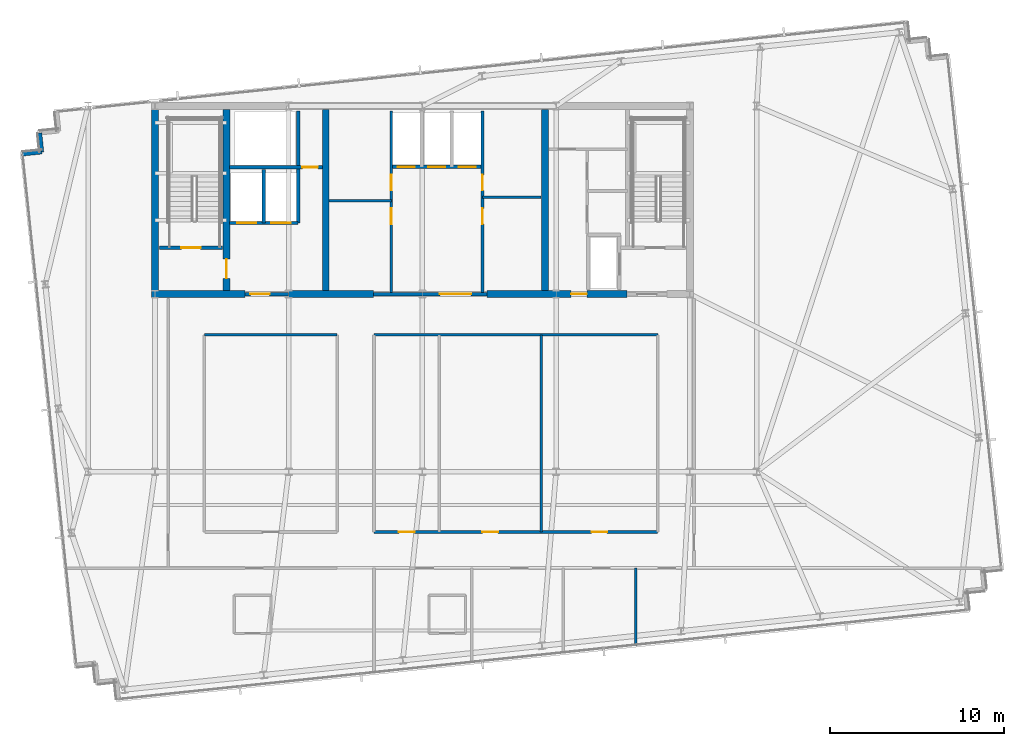
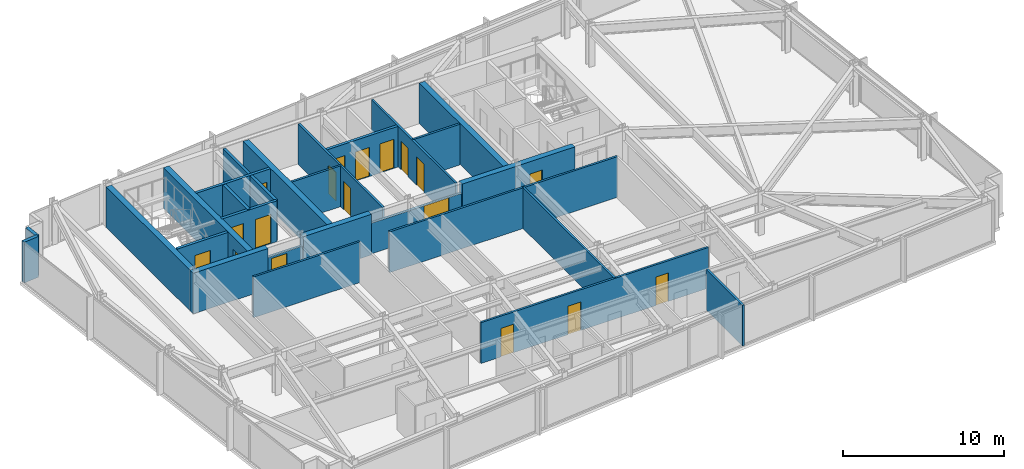
# One storey, part 27 of 32: 26 walls, 18 doors, 18 openings.
"""IFC4 building model written with IfcOpenShell, lengths in metres."""

from ifc_helpers import new_model, si_unit, direction, frame, frame_2d, origin, place, context, subcontext, project, spatial, rectangle, extrude, material, layer, layer_set, type_object, element, fill, save


model = new_model("IFC4")

# Units and contexts
model_context = context("Model", 3, precision=1e-05, world=origin(), true_north=direction((0.0, 1.0)))
body_context = subcontext(model_context, "Body", "Model", "MODEL_VIEW")
ifc_project = project(units=[si_unit("LENGTHUNIT", "METRE"), si_unit("AREAUNIT", "SQUARE_METRE"), si_unit("VOLUMEUNIT", "CUBIC_METRE"), si_unit("PLANEANGLEUNIT", "RADIAN"), si_unit("MASSUNIT", "GRAM", prefix="KILO")], contexts=[model_context])

# Site, building, storey
site_placement = place(None, origin())
site = spatial("IfcSite", under=ifc_project, at=site_placement, CompositionType="ELEMENT")
building_placement = place(site_placement, origin())
building = spatial("IfcBuilding", under=site, at=building_placement, Name="Yelkora Congress Tower", CompositionType="ELEMENT")
storey_placement = place(building_placement, frame((0.0, 0.0, 214.39990234375)))
storey = spatial("IfcBuildingStorey", under=building, at=storey_placement, Name="L59", CompositionType="ELEMENT", Elevation=214.39990234375)

# Walls
ifc_material_1 = material(Name="Concrete C50/60", Category="concrete")
ifc_layer_1 = layer(ifc_material_1, 0.39990234375)
ifc_layer_set_1 = layer_set([ifc_layer_1], Name="Concrete C50/60")
wall_type_1 = type_object("IfcWallType", Name="WALL-CORE-INT-400", PredefinedType="SHEAR", material=ifc_layer_set_1)
wall_1_placement = place(storey_placement, frame((22.840087890625, 35.39990234375, 0.0), z_axis=(0.0, 0.0, 1.0), x_axis=(1.0, 0.0, 0.0)))
element("IfcWall", 1, at=wall_1_placement, inside=storey, type_object=wall_type_1, Name="L59 Rear Core South-West Shear Wall", PredefinedType="SHEAR", context=body_context, shape_type="SweptSolid", body=[
    extrude(rectangle(XDim=5.35986328125, YDim=0.39990234375, at=frame_2d((2.679931640625, 0.0))), origin(), (0.0, 0.0, 1.0), 3.080078125),
])
wall_2_placement = place(storey_placement, frame((30.719970703125, 35.39990234375, 0.0), z_axis=(0.0, 0.0, 1.0), x_axis=(1.0, 0.0, 0.0)))
element("IfcWall", 2, at=wall_2_placement, inside=storey, type_object=wall_type_1, Name="L59 Rear Core South-Center Shear Pier", PredefinedType="SHEAR", context=body_context, shape_type="SweptSolid", body=[
    extrude(rectangle(XDim=4.880126953125, YDim=0.39990234375, at=frame_2d((2.43994140625, 0.0))), origin(), (0.0, 0.0, 1.0), 3.080078125),
])

# Wall, opening, door
wall_3_placement = place(storey_placement, frame((42.10009765625, 35.39990234375, 0.0), z_axis=(0.0, 0.0, 1.0), x_axis=(1.0, 0.0, 0.0)))
wall_3 = element("IfcWall", 3, at=wall_3_placement, inside=storey, type_object=wall_type_1, Name="L59 Rear Core South-East Shear Wall A", PredefinedType="SHEAR", context=body_context, shape_type="SweptSolid", body=[
    extrude(rectangle(XDim=8.0498046875, YDim=0.39990234375, at=frame_2d((4.02490234375, 0.0))), origin(), (0.0, 0.0, 1.0), 3.080078125),
])
opening_1_placement = place(wall_3_placement, frame((4.85009765625, 0.0, 0.0)))
opening_1 = element("IfcOpeningElement", 4, at=opening_1_placement, cuts=wall_3, Name="Opening DR-090F6", PredefinedType="OPENING", context=body_context, shape_type="SweptSolid", body=[
    extrude(rectangle(XDim=0.89990234375, YDim=2.14990234375, at=frame_2d((0.449951171875, 1.074951171875))), frame((0.0, 0.2099609375, 0.0), z_axis=(0.0, -1.0, 0.0), x_axis=(1.0, 0.0, 0.0)), (0.0, 0.0, 1.0), 0.419921875),
])
ifc_material_2 = material(Name="Painted steel riser fire door leaf", Category="steel")
door_type_1 = type_object("IfcDoorType", Name="DOOR-FD60-900", OperationType="NOTDEFINED", PredefinedType="DOOR", material=ifc_material_2)
door_1_placement = place(opening_1_placement, origin())
door_1 = element("IfcDoor", 5, at=door_1_placement, inside=storey, type_object=door_type_1, Name="L59 Core Washroom Lobby Door", OperationType="SINGLE_SWING_RIGHT", OverallHeight=2.14990234375, OverallWidth=0.89990234375, PredefinedType="DOOR", context=body_context, shape_type="SweptSolid", body=[
    extrude(rectangle(XDim=0.89990234375, YDim=2.14990234375, at=frame_2d((0.449951171875, 1.074951171875))), frame((0.0, 0.02490234375, 0.0), z_axis=(0.0, -1.0, 0.0), x_axis=(1.0, 0.0, 0.0)), (0.0, 0.0, 1.0), 0.050048828125),
])
fill(opening_1, door_1)

# Wall
wall_4_placement = place(storey_placement, frame((23.0400390625, 35.60009765625, 0.0), z_axis=(0.0, 0.0, 1.0), x_axis=(0.0, 1.0, 0.0)))
element("IfcWall", 6, at=wall_4_placement, inside=storey, type_object=wall_type_1, Name="L59 Rear Core Cross Shear Wall W", PredefinedType="SHEAR", context=body_context, shape_type="SweptSolid", body=[
    extrude(rectangle(XDim=10.39990234375, YDim=0.39990234375, at=frame_2d((5.199951171875, 0.0))), origin(), (0.0, 0.0, 1.0), 3.080078125),
])

# Wall, opening, door
wall_5_placement = place(storey_placement, frame((27.14990234375, 35.60009765625, 0.0), z_axis=(0.0, 0.0, 1.0), x_axis=(0.0, 1.0, 0.0)))
wall_5 = element("IfcWall", 7, at=wall_5_placement, inside=storey, type_object=wall_type_1, Name="L59 Rear Core Cross Shear Wall C1", PredefinedType="SHEAR", context=body_context, shape_type="SweptSolid", body=[
    extrude(rectangle(XDim=10.39990234375, YDim=0.39990234375, at=frame_2d((5.199951171875, 0.0))), origin(), (0.0, 0.0, 1.0), 3.080078125),
])
opening_2_placement = place(wall_5_placement, frame((0.699951171875, 0.0, 0.0)))
opening_2 = element("IfcOpeningElement", 8, at=opening_2_placement, cuts=wall_5, Name="Opening DR-110F9", PredefinedType="OPENING", context=body_context, shape_type="SweptSolid", body=[
    extrude(rectangle(XDim=1.10009765625, YDim=2.14990234375, at=frame_2d((0.550048828125, 1.074951171875))), frame((0.0, 0.2099609375, 0.0), z_axis=(0.0, -1.0, 0.0), x_axis=(1.0, 0.0, 0.0)), (0.0, 0.0, 1.0), 0.419921875),
])
ifc_material_3 = material(Name="Galvanised steel fire door leaf", Category="steel")
door_type_2 = type_object("IfcDoorType", Name="DOOR-FD90-1100", OperationType="NOTDEFINED", PredefinedType="DOOR", material=ifc_material_3)
door_2_placement = place(opening_2_placement, origin())
door_2 = element("IfcDoor", 9, at=door_2_placement, inside=storey, type_object=door_type_2, Name="L59 Firefighting Stair Transfer Door", OperationType="SINGLE_SWING_LEFT", OverallHeight=2.14990234375, OverallWidth=1.10009765625, PredefinedType="DOOR", context=body_context, shape_type="SweptSolid", body=[
    extrude(rectangle(XDim=1.10009765625, YDim=2.14990234375, at=frame_2d((0.550048828125, 1.074951171875))), frame((0.0, 0.02490234375, 0.0), z_axis=(0.0, -1.0, 0.0), x_axis=(1.0, 0.0, 0.0)), (0.0, 0.0, 1.0), 0.050048828125),
])
fill(opening_2, door_2)

# Walls
for number, where, z_axis, x_axis, name in (
    (10, (32.85009765625, 35.60009765625, 0.0), (0.0, 0.0, 1.0), (0.0, 1.0, 0.0), "L59 Rear Core Cross Shear Wall C2"),
    (11, (45.449951171875, 35.60009765625, 0.0), (0.0, 0.0, 1.0), (0.0, 1.0, 0.0), "L59 Rear Core Cross Shear Wall C3"),
):
    element("IfcWall", number, at=place(storey_placement, frame(where, z_axis=z_axis, x_axis=x_axis)), inside=storey, type_object=wall_type_1, Name=name, PredefinedType="SHEAR", context=body_context, shape_type="SweptSolid", body=[
        extrude(rectangle(XDim=10.39990234375, YDim=0.39990234375, at=frame_2d((5.199951171875, 0.0))), origin(), (0.0, 0.0, 1.0), 3.080078125),
    ])
ifc_material_4 = material(Name="Concrete C40/50", Category="concrete")
ifc_layer_2 = layer(ifc_material_4, 0.239990234375)
ifc_layer_set_2 = layer_set([ifc_layer_2], Name="Concrete C40/50")
wall_type_2 = type_object("IfcWallType", Name="WALL-EXT-LIMESTONE-240", PredefinedType="SOLIDWALL", material=ifc_layer_set_2)
wall_6_placement = place(storey_placement, frame((15.441162109375, 43.444580078125, 0.0), z_axis=(0.0, 0.0, 1.0), x_axis=(0.994495717747, 0.104777227405, 0.0)))
element("IfcWall", 12, at=wall_6_placement, inside=storey, type_object=wall_type_2, Name="L59 Serrated Corner Limestone Pier 6", PredefinedType="SOLIDWALL", context=body_context, shape_type="SweptSolid", body=[
    extrude(rectangle(XDim=1.099853515625, YDim=0.239990234375, at=frame_2d((0.5498046875, 0.0))), origin(), (0.0, 0.0, 1.0), 3.080078125),
])
wall_7_placement = place(storey_placement, frame((16.534912109375, 43.559814453125, 0.0), z_axis=(0.0, 0.0, 1.0), x_axis=(-0.104315068386, 0.994544300928, 0.0)))
element("IfcWall", 13, at=wall_7_placement, inside=storey, type_object=wall_type_2, Name="L59 Serrated Corner Limestone Pier 7", PredefinedType="SOLIDWALL", context=body_context, shape_type="SweptSolid", body=[
    extrude(rectangle(XDim=1.10009765625, YDim=0.239990234375, at=frame_2d((0.550048828125, 0.0))), origin(), (0.0, 0.0, 1.0), 3.080078125),
])
ifc_material_5 = material(Name="Acoustic metal-stud gypsum partition", Category="gypsum")
ifc_layer_3 = layer(ifc_material_5, 0.14990234375)
ifc_layer_set_3 = layer_set([ifc_layer_3], Name="Acoustic metal-stud gypsum partition")
wall_type_3 = type_object("IfcWallType", Name="WALL-INT-150-NR", PredefinedType="PARTITIONING", material=ifc_layer_set_3)
wall_8_placement = place(storey_placement, frame((25.8798828125, 33.050048828125, 0.0), z_axis=(0.0, 0.0, 1.0), x_axis=(1.0, 0.0, 0.0)))
element("IfcWall", 14, at=wall_8_placement, inside=storey, type_object=wall_type_3, Name="L59 Partition Wall 43", PredefinedType="PARTITIONING", context=body_context, shape_type="SweptSolid", body=[
    extrude(rectangle(XDim=7.6201171875, YDim=0.14990234375, at=frame_2d((3.81005859375, 0.0))), origin(), (0.0, 0.0, 1.0), 3.080078125),
])
wall_9_placement = place(storey_placement, frame((35.6201171875, 33.050048828125, 0.0), z_axis=(0.0, 0.0, 1.0), x_axis=(1.0, 0.0, 0.0)))
element("IfcWall", 15, at=wall_9_placement, inside=storey, type_object=wall_type_3, Name="L59 Partition Wall 44", PredefinedType="PARTITIONING", context=body_context, shape_type="SweptSolid", body=[
    extrude(rectangle(XDim=16.2998046875, YDim=0.14990234375, at=frame_2d((8.14990234375, 0.0))), origin(), (0.0, 0.0, 1.0), 3.080078125),
])
wall_10_placement = place(storey_placement, frame((45.22900390625, 21.72998046875, 0.0), z_axis=(0.0, 0.0, 1.0), x_axis=(0.0, 1.0, 0.0)))
element("IfcWall", 16, at=wall_10_placement, inside=storey, type_object=wall_type_3, Name="L59 Partition Wall 47", PredefinedType="PARTITIONING", context=body_context, shape_type="SweptSolid", body=[
    extrude(rectangle(XDim=11.320068359375, YDim=0.14990234375, at=frame_2d((5.66015625, 0.0))), origin(), (0.0, 0.0, 1.0), 3.080078125),
])

# Wall, openings, doors
wall_11_placement = place(storey_placement, frame((35.6298828125, 21.72998046875, 0.0), z_axis=(0.0, 0.0, 1.0), x_axis=(1.0, 0.0, 0.0)))
wall_11 = element("IfcWall", 17, at=wall_11_placement, inside=storey, type_object=wall_type_3, Name="L59 Partition Wall 48", PredefinedType="PARTITIONING", context=body_context, shape_type="SweptSolid", body=[
    extrude(rectangle(XDim=16.27001953125, YDim=0.14990234375, at=frame_2d((8.135009765625, 0.0))), origin(), (0.0, 0.0, 1.0), 3.080078125),
])
opening_3_placement = place(wall_11_placement, frame((1.4208984375, 0.0, 0.0)))
opening_3 = element("IfcOpeningElement", 18, at=opening_3_placement, cuts=wall_11, Name="Opening DR-090N", PredefinedType="OPENING", context=body_context, shape_type="SweptSolid", body=[
    extrude(rectangle(XDim=0.89990234375, YDim=2.14990234375, at=frame_2d((0.449951171875, 1.074951171875))), frame((0.0, 0.0849609375, 0.0), z_axis=(0.0, -1.0, 0.0), x_axis=(1.0, 0.0, 0.0)), (0.0, 0.0, 1.0), 0.169921875),
])
opening_4_placement = place(wall_11_placement, frame((6.220458984375, 0.0, 0.0)))
opening_4 = element("IfcOpeningElement", 19, at=opening_4_placement, cuts=wall_11, Name="Opening DR-090N", PredefinedType="OPENING", context=body_context, shape_type="SweptSolid", body=[
    extrude(rectangle(XDim=0.89990234375, YDim=2.14990234375, at=frame_2d((0.449951171875, 1.074951171875))), frame((0.0, 0.0849609375, 0.0), z_axis=(0.0, -1.0, 0.0), x_axis=(1.0, 0.0, 0.0)), (0.0, 0.0, 1.0), 0.169921875),
])
opening_5_placement = place(wall_11_placement, frame((12.484619140625, 0.0, 0.0)))
opening_5 = element("IfcOpeningElement", 20, at=opening_5_placement, cuts=wall_11, Name="Opening DR-090N", PredefinedType="OPENING", context=body_context, shape_type="SweptSolid", body=[
    extrude(rectangle(XDim=0.89990234375, YDim=2.14990234375, at=frame_2d((0.449951171875, 1.074951171875))), frame((0.0, 0.0849609375, 0.0), z_axis=(0.0, -1.0, 0.0), x_axis=(1.0, 0.0, 0.0)), (0.0, 0.0, 1.0), 0.169921875),
])
ifc_material_6 = material(Name="Moisture-resistant laminate door leaf", Category="wood")
door_type_3 = type_object("IfcDoorType", Name="DOOR-INT-900", OperationType="NOTDEFINED", PredefinedType="DOOR", material=ifc_material_6)
door_3_placement = place(opening_3_placement, origin())
door_3 = element("IfcDoor", 21, at=door_3_placement, inside=storey, type_object=door_type_3, Name="L59 Diplomatic Day Lounge Door", OperationType="SINGLE_SWING_RIGHT", OverallHeight=2.14990234375, OverallWidth=0.89990234375, PredefinedType="DOOR", context=body_context, shape_type="SweptSolid", body=[
    extrude(rectangle(XDim=0.89990234375, YDim=2.14990234375, at=frame_2d((0.449951171875, 1.074951171875))), frame((0.0, 0.02490234375, 0.0), z_axis=(0.0, -1.0, 0.0), x_axis=(1.0, 0.0, 0.0)), (0.0, 0.0, 1.0), 0.050048828125),
])
fill(opening_3, door_3)
door_4_placement = place(opening_4_placement, origin())
door_4 = element("IfcDoor", 22, at=door_4_placement, inside=storey, type_object=door_type_3, Name="L59 First-Aid Treatment Room Door", OperationType="SINGLE_SWING_LEFT", OverallHeight=2.14990234375, OverallWidth=0.89990234375, PredefinedType="DOOR", context=body_context, shape_type="SweptSolid", body=[
    extrude(rectangle(XDim=0.89990234375, YDim=2.14990234375, at=frame_2d((0.449951171875, 1.074951171875))), frame((0.0, 0.02490234375, 0.0), z_axis=(0.0, -1.0, 0.0), x_axis=(1.0, 0.0, 0.0)), (0.0, 0.0, 1.0), 0.050048828125),
])
fill(opening_4, door_4)
door_5_placement = place(opening_5_placement, origin())
door_5 = element("IfcDoor", 23, at=door_5_placement, inside=storey, type_object=door_type_3, Name="L59 Wellness Consult Room Door", OperationType="SINGLE_SWING_RIGHT", OverallHeight=2.14990234375, OverallWidth=0.89990234375, PredefinedType="DOOR", context=body_context, shape_type="SweptSolid", body=[
    extrude(rectangle(XDim=0.89990234375, YDim=2.14990234375, at=frame_2d((0.449951171875, 1.074951171875))), frame((0.0, 0.02490234375, 0.0), z_axis=(0.0, -1.0, 0.0), x_axis=(1.0, 0.0, 0.0)), (0.0, 0.0, 1.0), 0.050048828125),
])
fill(opening_5, door_5)

# Wall
ifc_material_7 = material(Name="Twin-stud fire-rated gypsum partition", Category="gypsum")
ifc_layer_4 = layer(ifc_material_7, 0.14990234375)
ifc_layer_set_4 = layer_set([ifc_layer_4], Name="Twin-stud fire-rated gypsum partition")
wall_type_4 = type_object("IfcWallType", Name="WALL-INT-150-R60", PredefinedType="PARTITIONING", material=ifc_layer_set_4)
wall_12_placement = place(storey_placement, frame((33.050048828125, 40.75, 0.0), z_axis=(0.0, 0.0, 1.0), x_axis=(1.0, 0.0, 0.0)))
element("IfcWall", 24, at=wall_12_placement, inside=storey, type_object=wall_type_4, Name="L59 Partition Wall 11", PredefinedType="PARTITIONING", context=body_context, shape_type="SweptSolid", body=[
    extrude(rectangle(XDim=3.570068359375, YDim=0.14990234375, at=frame_2d((1.78515625, 0.0))), origin(), (0.0, 0.0, 1.0), 3.080078125),
])

# Wall, openings, doors
wall_13_placement = place(storey_placement, frame((36.6201171875, 35.5, 0.0), z_axis=(0.0, 0.0, 1.0), x_axis=(0.0, 1.0, 0.0)))
wall_13 = element("IfcWall", 25, at=wall_13_placement, inside=storey, type_object=wall_type_4, Name="L59 Partition Wall 12", PredefinedType="PARTITIONING", context=body_context, shape_type="SweptSolid", body=[
    extrude(rectangle(XDim=10.419921875, YDim=0.14990234375, at=frame_2d((5.2099609375, 0.0))), origin(), (0.0, 0.0, 1.0), 3.080078125),
])
opening_6_placement = place(wall_13_placement, frame((3.919921875, 0.0, 0.0)))
opening_6 = element("IfcOpeningElement", 26, at=opening_6_placement, cuts=wall_13, Name="Opening DR-090F6", PredefinedType="OPENING", context=body_context, shape_type="SweptSolid", body=[
    extrude(rectangle(XDim=0.89990234375, YDim=2.14990234375, at=frame_2d((0.449951171875, 1.074951171875))), frame((0.0, 0.0849609375, 0.0), z_axis=(0.0, -1.0, 0.0), x_axis=(1.0, 0.0, 0.0)), (0.0, 0.0, 1.0), 0.169921875),
])
opening_7_placement = place(wall_13_placement, frame((5.85009765625, 0.0, 0.0)))
opening_7 = element("IfcOpeningElement", 27, at=opening_7_placement, cuts=wall_13, Name="Opening DR-090F6", PredefinedType="OPENING", context=body_context, shape_type="SweptSolid", body=[
    extrude(rectangle(XDim=0.89990234375, YDim=2.14990234375, at=frame_2d((0.449951171875, 1.074951171875))), frame((0.0, 0.0849609375, 0.0), z_axis=(0.0, -1.0, 0.0), x_axis=(1.0, 0.0, 0.0)), (0.0, 0.0, 1.0), 0.169921875),
])
door_6_placement = place(opening_6_placement, origin())
door_6 = element("IfcDoor", 28, at=door_6_placement, inside=storey, type_object=door_type_1, Name="L59 Telecom Store Door", OperationType="SINGLE_SWING_RIGHT", OverallHeight=2.14990234375, OverallWidth=0.89990234375, PredefinedType="DOOR", context=body_context, shape_type="SweptSolid", body=[
    extrude(rectangle(XDim=0.89990234375, YDim=2.14990234375, at=frame_2d((0.449951171875, 1.074951171875))), frame((0.0, 0.02490234375, 0.0), z_axis=(0.0, -1.0, 0.0), x_axis=(1.0, 0.0, 0.0)), (0.0, 0.0, 1.0), 0.050048828125),
])
fill(opening_6, door_6)
door_7_placement = place(opening_7_placement, origin())
door_7 = element("IfcDoor", 29, at=door_7_placement, inside=storey, type_object=door_type_1, Name="L59 Archive Store Door", OperationType="SINGLE_SWING_LEFT", OverallHeight=2.14990234375, OverallWidth=0.89990234375, PredefinedType="DOOR", context=body_context, shape_type="SweptSolid", body=[
    extrude(rectangle(XDim=0.89990234375, YDim=2.14990234375, at=frame_2d((0.449951171875, 1.074951171875))), frame((0.0, 0.02490234375, 0.0), z_axis=(0.0, -1.0, 0.0), x_axis=(1.0, 0.0, 0.0)), (0.0, 0.0, 1.0), 0.050048828125),
])
fill(opening_7, door_7)

# Wall
wall_14_placement = place(storey_placement, frame((41.85009765625, 40.949951171875, 0.0), z_axis=(0.0, 0.0, 1.0), x_axis=(1.0, 0.0, 0.0)))
element("IfcWall", 30, at=wall_14_placement, inside=storey, type_object=wall_type_4, Name="L59 Partition Wall 13", PredefinedType="PARTITIONING", context=body_context, shape_type="SweptSolid", body=[
    extrude(rectangle(XDim=3.369873046875, YDim=0.14990234375, at=frame_2d((1.68505859375, 0.0))), origin(), (0.0, 0.0, 1.0), 3.080078125),
])

# Wall, openings, doors
wall_15_placement = place(storey_placement, frame((41.85009765625, 35.5, 0.0), z_axis=(0.0, 0.0, 1.0), x_axis=(0.0, 1.0, 0.0)))
wall_15 = element("IfcWall", 31, at=wall_15_placement, inside=storey, type_object=wall_type_4, Name="L59 Partition Wall 14", PredefinedType="PARTITIONING", context=body_context, shape_type="SweptSolid", body=[
    extrude(rectangle(XDim=10.419921875, YDim=0.14990234375, at=frame_2d((5.2099609375, 0.0))), origin(), (0.0, 0.0, 1.0), 3.080078125),
])
opening_8_placement = place(wall_15_placement, frame((3.919921875, 0.0, 0.0)))
opening_8 = element("IfcOpeningElement", 32, at=opening_8_placement, cuts=wall_15, Name="Opening DR-090F6", PredefinedType="OPENING", context=body_context, shape_type="SweptSolid", body=[
    extrude(rectangle(XDim=0.89990234375, YDim=2.14990234375, at=frame_2d((0.449951171875, 1.074951171875))), frame((0.0, 0.0849609375, 0.0), z_axis=(0.0, -1.0, 0.0), x_axis=(1.0, 0.0, 0.0)), (0.0, 0.0, 1.0), 0.169921875),
])
opening_9_placement = place(wall_15_placement, frame((5.85009765625, 0.0, 0.0)))
opening_9 = element("IfcOpeningElement", 33, at=opening_9_placement, cuts=wall_15, Name="Opening DR-090F6", PredefinedType="OPENING", context=body_context, shape_type="SweptSolid", body=[
    extrude(rectangle(XDim=0.89990234375, YDim=2.14990234375, at=frame_2d((0.449951171875, 1.074951171875))), frame((0.0, 0.0849609375, 0.0), z_axis=(0.0, -1.0, 0.0), x_axis=(1.0, 0.0, 0.0)), (0.0, 0.0, 1.0), 0.169921875),
])
door_8_placement = place(opening_8_placement, origin())
door_8 = element("IfcDoor", 34, at=door_8_placement, inside=storey, type_object=door_type_1, Name="L59 High-Zone BMS Door", OperationType="SINGLE_SWING_RIGHT", OverallHeight=2.14990234375, OverallWidth=0.89990234375, PredefinedType="DOOR", context=body_context, shape_type="SweptSolid", body=[
    extrude(rectangle(XDim=0.89990234375, YDim=2.14990234375, at=frame_2d((0.449951171875, 1.074951171875))), frame((0.0, 0.02490234375, 0.0), z_axis=(0.0, -1.0, 0.0), x_axis=(1.0, 0.0, 0.0)), (0.0, 0.0, 1.0), 0.050048828125),
])
fill(opening_8, door_8)
door_9_placement = place(opening_9_placement, origin())
door_9 = element("IfcDoor", 35, at=door_9_placement, inside=storey, type_object=door_type_1, Name="L59 Linen Store Door", OperationType="SINGLE_SWING_LEFT", OverallHeight=2.14990234375, OverallWidth=0.89990234375, PredefinedType="DOOR", context=body_context, shape_type="SweptSolid", body=[
    extrude(rectangle(XDim=0.89990234375, YDim=2.14990234375, at=frame_2d((0.449951171875, 1.074951171875))), frame((0.0, 0.02490234375, 0.0), z_axis=(0.0, -1.0, 0.0), x_axis=(1.0, 0.0, 0.0)), (0.0, 0.0, 1.0), 0.050048828125),
])
fill(opening_9, door_9)

# Wall
wall_16_placement = place(storey_placement, frame((50.64892578125, 15.190185546875, 0.0), z_axis=(0.0, 0.0, 1.0), x_axis=(0.0, 1.0, 0.0)))
element("IfcWall", 36, at=wall_16_placement, inside=storey, type_object=wall_type_4, Name="L59 Partition Wall 34", PredefinedType="PARTITIONING", context=body_context, shape_type="SweptSolid", body=[
    extrude(rectangle(XDim=4.479736328125, YDim=0.14990234375, at=frame_2d((2.23974609375, 0.0))), origin(), (0.0, 0.0, 1.0), 3.080078125),
])

# Wall, opening, door
ifc_material_8 = material(Name="Autoclaved aerated concrete blockwork", Category="masonry")
ifc_layer_5 = layer(ifc_material_8, 0.199951171875)
ifc_layer_set_5 = layer_set([ifc_layer_5], Name="Autoclaved aerated concrete blockwork")
wall_type_5 = type_object("IfcWallType", Name="WALL-INT-200-R120", PredefinedType="PARTITIONING", material=ifc_layer_set_5)
wall_17_placement = place(storey_placement, frame((23.300048828125, 38.050048828125, 0.0), z_axis=(0.0, 0.0, 1.0), x_axis=(1.0, 0.0, 0.0)))
wall_17 = element("IfcWall", 37, at=wall_17_placement, inside=storey, type_object=wall_type_5, Name="L59 Stair ST-01 Enclosure Wall", PredefinedType="PARTITIONING", context=body_context, shape_type="SweptSolid", body=[
    extrude(rectangle(XDim=3.619873046875, YDim=0.199951171875, at=frame_2d((1.81005859375, 0.0))), origin(), (0.0, 0.0, 1.0), 3.080078125),
])
opening_10_placement = place(wall_17_placement, frame((1.260009765625, 0.0, 0.0)))
opening_10 = element("IfcOpeningElement", 38, at=opening_10_placement, cuts=wall_17, Name="Opening DR-110F9", PredefinedType="OPENING", context=body_context, shape_type="SweptSolid", body=[
    extrude(rectangle(XDim=1.10009765625, YDim=2.14990234375, at=frame_2d((0.550048828125, 1.074951171875))), frame((0.0, 0.10986328125, 0.0), z_axis=(0.0, -1.0, 0.0), x_axis=(1.0, 0.0, 0.0)), (0.0, 0.0, 1.0), 0.219970703125),
])
door_10_placement = place(opening_10_placement, origin())
door_10 = element("IfcDoor", 39, at=door_10_placement, inside=storey, type_object=door_type_2, Name="L59 Stair ST-01 Entry Door", OperationType="SINGLE_SWING_LEFT", OverallHeight=2.14990234375, OverallWidth=1.10009765625, PredefinedType="DOOR", context=body_context, shape_type="SweptSolid", body=[
    extrude(rectangle(XDim=1.10009765625, YDim=2.14990234375, at=frame_2d((0.550048828125, 1.074951171875))), frame((0.0, 0.02490234375, 0.0), z_axis=(0.0, -1.0, 0.0), x_axis=(1.0, 0.0, 0.0)), (0.0, 0.0, 1.0), 0.050048828125),
])
fill(opening_10, door_10)

wall_18_placement = place(storey_placement, frame((28.219970703125, 35.39990234375, 0.0), z_axis=(0.0, 0.0, 1.0), x_axis=(1.0, 0.0, 0.0)))
wall_18 = element("IfcWall", 40, at=wall_18_placement, inside=storey, type_object=wall_type_5, Name="L59 Firefighting Lobby South Wall", PredefinedType="PARTITIONING", context=body_context, shape_type="SweptSolid", body=[
    extrude(rectangle(XDim=2.5, YDim=0.199951171875, at=frame_2d((1.25, 0.0))), origin(), (0.0, 0.0, 1.0), 2.31298828125),
])
opening_11_placement = place(wall_18_placement, frame((0.300048828125, 0.0, 0.0)))
opening_11 = element("IfcOpeningElement", 41, at=opening_11_placement, cuts=wall_18, Name="Opening DR-110F9", PredefinedType="OPENING", context=body_context, shape_type="SweptSolid", body=[
    extrude(rectangle(XDim=1.10009765625, YDim=2.14990234375, at=frame_2d((0.550048828125, 1.074951171875))), frame((0.0, 0.10986328125, 0.0), z_axis=(0.0, -1.0, 0.0), x_axis=(1.0, 0.0, 0.0)), (0.0, 0.0, 1.0), 0.219970703125),
])
door_11_placement = place(opening_11_placement, origin())
door_11 = element("IfcDoor", 42, at=door_11_placement, inside=storey, type_object=door_type_2, Name="L59 Firefighting Lobby Corridor Door", OperationType="SINGLE_SWING_RIGHT", OverallHeight=2.14990234375, OverallWidth=1.10009765625, PredefinedType="DOOR", context=body_context, shape_type="SweptSolid", body=[
    extrude(rectangle(XDim=1.10009765625, YDim=2.14990234375, at=frame_2d((0.550048828125, 1.074951171875))), frame((0.0, 0.02490234375, 0.0), z_axis=(0.0, -1.0, 0.0), x_axis=(1.0, 0.0, 0.0)), (0.0, 0.0, 1.0), 0.050048828125),
])
fill(opening_11, door_11)

# Wall, openings, doors
wall_19_placement = place(storey_placement, frame((27.320068359375, 39.47998046875, 0.0), z_axis=(0.0, 0.0, 1.0), x_axis=(1.0, 0.0, 0.0)))
wall_19 = element("IfcWall", 43, at=wall_19_placement, inside=storey, type_object=wall_type_5, Name="L59 Firefighting Lift Front Wall", PredefinedType="PARTITIONING", context=body_context, shape_type="SweptSolid", body=[
    extrude(rectangle(XDim=3.93994140625, YDim=0.199951171875, at=frame_2d((1.969970703125, 0.0))), origin(), (0.0, 0.0, 1.0), 3.080078125),
])
opening_12_placement = place(wall_19_placement, frame((0.449951171875, 0.0, 0.0)))
opening_12 = element("IfcOpeningElement", 44, at=opening_12_placement, cuts=wall_19, Name="Opening LD-FF11", PredefinedType="OPENING", context=body_context, shape_type="SweptSolid", body=[
    extrude(rectangle(XDim=1.10009765625, YDim=2.199951171875, at=frame_2d((0.550048828125, 1.10009765625))), frame((0.0, 0.10986328125, 0.0), z_axis=(0.0, -1.0, 0.0), x_axis=(1.0, 0.0, 0.0)), (0.0, 0.0, 1.0), 0.219970703125),
])
opening_13_placement = place(wall_19_placement, frame((2.409912109375, 0.0, 0.0)))
opening_13 = element("IfcOpeningElement", 45, at=opening_13_placement, cuts=wall_19, Name="Opening LD-FF11", PredefinedType="OPENING", context=body_context, shape_type="SweptSolid", body=[
    extrude(rectangle(XDim=1.10009765625, YDim=2.199951171875, at=frame_2d((0.550048828125, 1.10009765625))), frame((0.0, 0.10986328125, 0.0), z_axis=(0.0, -1.0, 0.0), x_axis=(1.0, 0.0, 0.0)), (0.0, 0.0, 1.0), 0.219970703125),
])
ifc_material_9 = material(Name="Brushed stainless steel 316L landing door", Category="steel")
door_type_4 = type_object("IfcDoorType", Name="DOOR-LIFT-FF-1100", OperationType="DOUBLE_DOOR_SLIDING", PredefinedType="DOOR", material=ifc_material_9)
door_12_placement = place(opening_12_placement, origin())
door_12 = element("IfcDoor", 46, at=door_12_placement, inside=storey, type_object=door_type_4, Name="Lift Landing Door LF-FF1 L59", OperationType="DOUBLE_DOOR_SLIDING", OverallHeight=2.199951171875, OverallWidth=1.10009765625, PredefinedType="DOOR", context=body_context, shape_type="SweptSolid", body=[
    extrude(rectangle(XDim=1.10009765625, YDim=2.199951171875, at=frame_2d((0.550048828125, 1.10009765625))), frame((0.0, 0.02490234375, 0.0), z_axis=(0.0, -1.0, 0.0), x_axis=(1.0, 0.0, 0.0)), (0.0, 0.0, 1.0), 0.050048828125),
])
fill(opening_12, door_12)
door_13_placement = place(opening_13_placement, origin())
door_13 = element("IfcDoor", 47, at=door_13_placement, inside=storey, type_object=door_type_4, Name="Lift Landing Door LF-FF2 L59", OperationType="DOUBLE_DOOR_SLIDING", OverallHeight=2.199951171875, OverallWidth=1.10009765625, PredefinedType="DOOR", context=body_context, shape_type="SweptSolid", body=[
    extrude(rectangle(XDim=1.10009765625, YDim=2.199951171875, at=frame_2d((0.550048828125, 1.10009765625))), frame((0.0, 0.02490234375, 0.0), z_axis=(0.0, -1.0, 0.0), x_axis=(1.0, 0.0, 0.0)), (0.0, 0.0, 1.0), 0.050048828125),
])
fill(opening_13, door_13)

# Walls
wall_20_placement = place(storey_placement, frame((29.300048828125, 39.47998046875, 0.0), z_axis=(0.0, 0.0, 1.0), x_axis=(0.0, 1.0, 0.0)))
element("IfcWall", 48, at=wall_20_placement, inside=storey, type_object=wall_type_5, Name="L59 Partition Wall 4", PredefinedType="PARTITIONING", context=body_context, shape_type="SweptSolid", body=[
    extrude(rectangle(XDim=3.070068359375, YDim=0.199951171875, at=frame_2d((1.53515625, 0.0))), origin(), (0.0, 0.0, 1.0), 3.080078125),
])
wall_21_placement = place(storey_placement, frame((31.260009765625, 39.47998046875, 0.0), z_axis=(0.0, 0.0, 1.0), x_axis=(0.0, 1.0, 0.0)))
element("IfcWall", 49, at=wall_21_placement, inside=storey, type_object=wall_type_5, Name="L59 Partition Wall 5", PredefinedType="PARTITIONING", context=body_context, shape_type="SweptSolid", body=[
    extrude(rectangle(XDim=6.43994140625, YDim=0.199951171875, at=frame_2d((3.219970703125, 0.0))), origin(), (0.0, 0.0, 1.0), 3.080078125),
])

# Wall, opening, door
wall_22_placement = place(storey_placement, frame((27.320068359375, 42.679931640625, 0.0), z_axis=(0.0, 0.0, 1.0), x_axis=(1.0, 0.0, 0.0)))
wall_22 = element("IfcWall", 50, at=wall_22_placement, inside=storey, type_object=wall_type_5, Name="L59 Smoke Riser South Wall", PredefinedType="PARTITIONING", context=body_context, shape_type="SweptSolid", body=[
    extrude(rectangle(XDim=5.329833984375, YDim=0.199951171875, at=frame_2d((2.6650390625, 0.0))), origin(), (0.0, 0.0, 1.0), 3.080078125),
])
opening_14_placement = place(wall_22_placement, frame((4.179931640625, 0.0, 0.0)))
opening_14 = element("IfcOpeningElement", 51, at=opening_14_placement, cuts=wall_22, Name="Opening DR-090F6", PredefinedType="OPENING", context=body_context, shape_type="SweptSolid", body=[
    extrude(rectangle(XDim=0.89990234375, YDim=2.14990234375, at=frame_2d((0.449951171875, 1.074951171875))), frame((0.0, 0.10986328125, 0.0), z_axis=(0.0, -1.0, 0.0), x_axis=(1.0, 0.0, 0.0)), (0.0, 0.0, 1.0), 0.219970703125),
])
door_14_placement = place(opening_14_placement, origin())
door_14 = element("IfcDoor", 52, at=door_14_placement, inside=storey, type_object=door_type_1, Name="L59 Riser Access Door", OperationType="SINGLE_SWING_LEFT", OverallHeight=2.14990234375, OverallWidth=0.89990234375, PredefinedType="DOOR", context=body_context, shape_type="SweptSolid", body=[
    extrude(rectangle(XDim=0.89990234375, YDim=2.14990234375, at=frame_2d((0.449951171875, 1.074951171875))), frame((0.0, 0.02490234375, 0.0), z_axis=(0.0, -1.0, 0.0), x_axis=(1.0, 0.0, 0.0)), (0.0, 0.0, 1.0), 0.050048828125),
])
fill(opening_14, door_14)

wall_23_placement = place(storey_placement, frame((35.60009765625, 35.39990234375, 0.0), z_axis=(0.0, 0.0, 1.0), x_axis=(1.0, 0.0, 0.0)))
wall_23 = element("IfcWall", 53, at=wall_23_placement, inside=storey, type_object=wall_type_5, Name="L59 Main Lift Lobby South Portal Wall", PredefinedType="PARTITIONING", context=body_context, shape_type="SweptSolid", body=[
    extrude(rectangle(XDim=6.5, YDim=0.199951171875, at=frame_2d((3.25, 0.0))), origin(), (0.0, 0.0, 1.0), 2.31298828125),
])
opening_15_placement = place(wall_23_placement, frame((3.800048828125, 0.0, 0.0)))
opening_15 = element("IfcOpeningElement", 54, at=opening_15_placement, cuts=wall_23, Name="Opening DR-180D", PredefinedType="OPENING", context=body_context, shape_type="SweptSolid", body=[
    extrude(rectangle(XDim=1.800048828125, YDim=2.300048828125, at=frame_2d((0.89990234375, 1.14990234375))), frame((0.0, 0.10986328125, 0.0), z_axis=(0.0, -1.0, 0.0), x_axis=(1.0, 0.0, 0.0)), (0.0, 0.0, 1.0), 0.219970703125),
])
ifc_material_10 = material(Name="Acoustic double congress hall doors", Category="wood")
door_type_5 = type_object("IfcDoorType", Name="DOOR-DBL-1800", OperationType="DOUBLE_DOOR_SINGLE_SWING", PredefinedType="DOOR", material=ifc_material_10)
door_15_placement = place(opening_15_placement, origin())
door_15 = element("IfcDoor", 55, at=door_15_placement, inside=storey, type_object=door_type_5, Name="L59 Main Lift Lobby Portal Door", OperationType="DOUBLE_DOOR_SINGLE_SWING", OverallHeight=2.300048828125, OverallWidth=1.800048828125, PredefinedType="DOOR", context=body_context, shape_type="SweptSolid", body=[
    extrude(rectangle(XDim=1.800048828125, YDim=2.300048828125, at=frame_2d((0.89990234375, 1.14990234375))), frame((0.0, 0.02490234375, 0.0), z_axis=(0.0, -1.0, 0.0), x_axis=(1.0, 0.0, 0.0)), (0.0, 0.0, 1.0), 0.050048828125),
])
fill(opening_15, door_15)

# Wall, openings, doors
wall_24_placement = place(storey_placement, frame((36.60009765625, 42.699951171875, 0.0), z_axis=(0.0, 0.0, 1.0), x_axis=(1.0, 0.0, 0.0)))
wall_24 = element("IfcWall", 56, at=wall_24_placement, inside=storey, type_object=wall_type_5, Name="L59 Partition Wall 8", PredefinedType="PARTITIONING", context=body_context, shape_type="SweptSolid", body=[
    extrude(rectangle(XDim=5.25, YDim=0.199951171875, at=frame_2d((2.625, 0.0))), origin(), (0.0, 0.0, 1.0), 3.080078125),
])
opening_16_placement = place(wall_24_placement, frame((0.375, 0.0, 0.0)))
opening_16 = element("IfcOpeningElement", 57, at=opening_16_placement, cuts=wall_24, Name="Opening LD-PS10", PredefinedType="OPENING", context=body_context, shape_type="SweptSolid", body=[
    extrude(rectangle(XDim=1.0, YDim=2.199951171875, at=frame_2d((0.5, 1.10009765625))), frame((0.0, 0.10986328125, 0.0), z_axis=(0.0, -1.0, 0.0), x_axis=(1.0, 0.0, 0.0)), (0.0, 0.0, 1.0), 0.219970703125),
])
opening_17_placement = place(wall_24_placement, frame((2.125, 0.0, 0.0)))
opening_17 = element("IfcOpeningElement", 58, at=opening_17_placement, cuts=wall_24, Name="Opening LD-PS10", PredefinedType="OPENING", context=body_context, shape_type="SweptSolid", body=[
    extrude(rectangle(XDim=1.0, YDim=2.199951171875, at=frame_2d((0.5, 1.10009765625))), frame((0.0, 0.10986328125, 0.0), z_axis=(0.0, -1.0, 0.0), x_axis=(1.0, 0.0, 0.0)), (0.0, 0.0, 1.0), 0.219970703125),
])
opening_18_placement = place(wall_24_placement, frame((3.875, 0.0, 0.0)))
opening_18 = element("IfcOpeningElement", 59, at=opening_18_placement, cuts=wall_24, Name="Opening LD-PS10", PredefinedType="OPENING", context=body_context, shape_type="SweptSolid", body=[
    extrude(rectangle(XDim=1.0, YDim=2.199951171875, at=frame_2d((0.5, 1.10009765625))), frame((0.0, 0.10986328125, 0.0), z_axis=(0.0, -1.0, 0.0), x_axis=(1.0, 0.0, 0.0)), (0.0, 0.0, 1.0), 0.219970703125),
])
ifc_material_11 = material(Name="Champagne stainless steel landing door", Category="steel")
door_type_6 = type_object("IfcDoorType", Name="DOOR-LIFT-PAS-1000", OperationType="DOUBLE_DOOR_SLIDING", PredefinedType="DOOR", material=ifc_material_11)
door_16_placement = place(opening_16_placement, origin())
door_16 = element("IfcDoor", 60, at=door_16_placement, inside=storey, type_object=door_type_6, Name="Lift Landing Door LF-P9 L59", OperationType="DOUBLE_DOOR_SLIDING", OverallHeight=2.199951171875, OverallWidth=1.0, PredefinedType="DOOR", context=body_context, shape_type="SweptSolid", body=[
    extrude(rectangle(XDim=1.0, YDim=2.199951171875, at=frame_2d((0.5, 1.10009765625))), frame((0.0, 0.02490234375, 0.0), z_axis=(0.0, -1.0, 0.0), x_axis=(1.0, 0.0, 0.0)), (0.0, 0.0, 1.0), 0.050048828125),
])
fill(opening_16, door_16)
door_17_placement = place(opening_17_placement, origin())
door_17 = element("IfcDoor", 61, at=door_17_placement, inside=storey, type_object=door_type_6, Name="Lift Landing Door LF-P10 L59", OperationType="DOUBLE_DOOR_SLIDING", OverallHeight=2.199951171875, OverallWidth=1.0, PredefinedType="DOOR", context=body_context, shape_type="SweptSolid", body=[
    extrude(rectangle(XDim=1.0, YDim=2.199951171875, at=frame_2d((0.5, 1.10009765625))), frame((0.0, 0.02490234375, 0.0), z_axis=(0.0, -1.0, 0.0), x_axis=(1.0, 0.0, 0.0)), (0.0, 0.0, 1.0), 0.050048828125),
])
fill(opening_17, door_17)
door_18_placement = place(opening_18_placement, origin())
door_18 = element("IfcDoor", 62, at=door_18_placement, inside=storey, type_object=door_type_6, Name="Lift Landing Door LF-P11 L59", OperationType="DOUBLE_DOOR_SLIDING", OverallHeight=2.199951171875, OverallWidth=1.0, PredefinedType="DOOR", context=body_context, shape_type="SweptSolid", body=[
    extrude(rectangle(XDim=1.0, YDim=2.199951171875, at=frame_2d((0.5, 1.10009765625))), frame((0.0, 0.02490234375, 0.0), z_axis=(0.0, -1.0, 0.0), x_axis=(1.0, 0.0, 0.0)), (0.0, 0.0, 1.0), 0.050048828125),
])
fill(opening_18, door_18)

save(model, "model.ifc")
